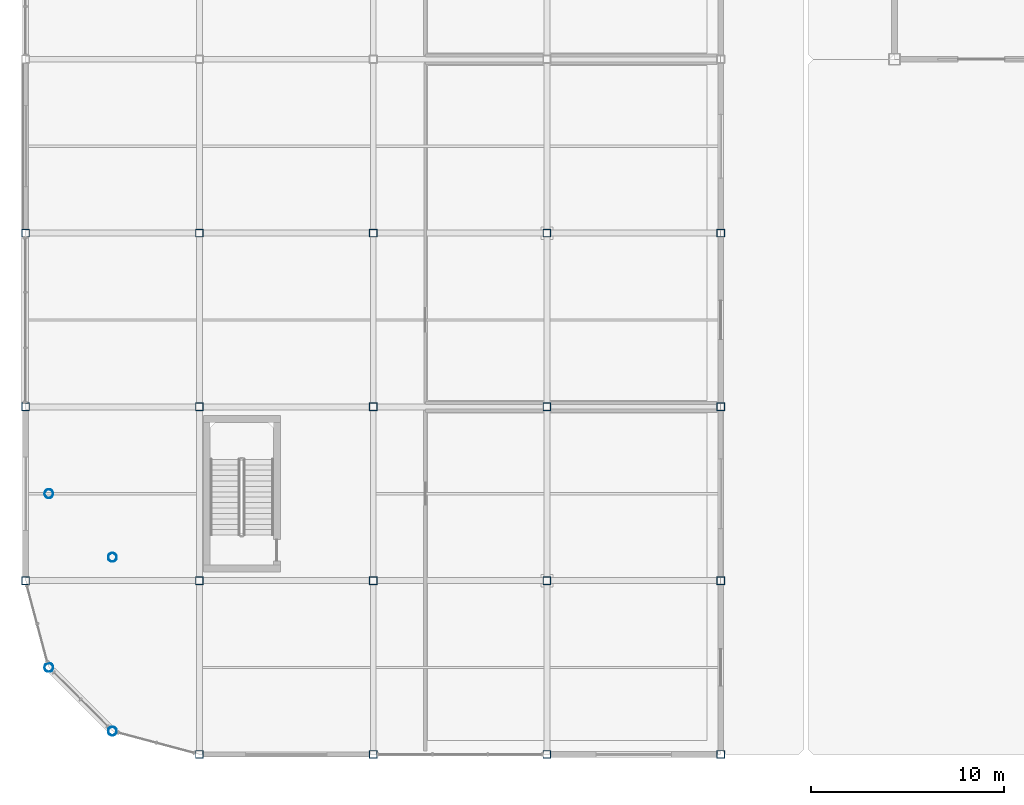
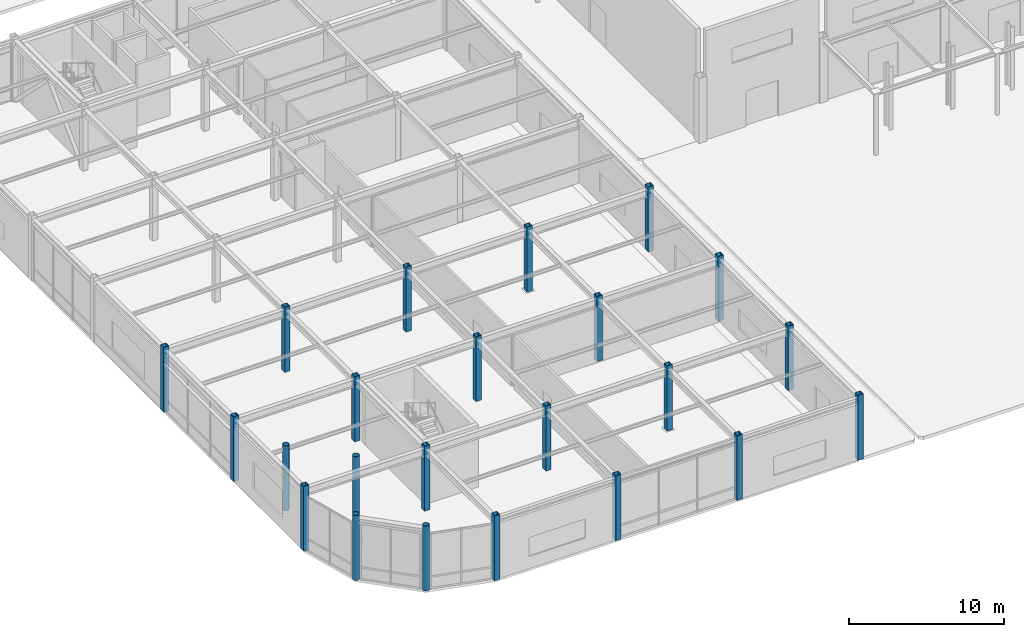
# One storey, part 1 of 123: 23 columns.
"""IFC4 building model written with IfcOpenShell, lengths in metres."""

import ifcopenshell
import ifcopenshell.guid

model = None  # the IFC model being written
_history = None  # IfcOwnerHistory: only IFC2X3 demands one
_inside = {}  # id of a spatial element -> (the spatial element, [elements in it])
_under = {}  # id of a project, library or spatial element -> (it, [spatial elements below it])
_declared = {}  # id of a project -> (the project, [libraries it declares])
_typed = {}  # id of a type object -> (the type object, [elements of that type])
_made_of = {}  # id of a material, layer set ... -> (it, [elements and type objects made of it])


def new_model(schema):
    """Start an empty IFC model of exactly this schema.

    Asked for "IFC4X3", IfcOpenShell would pick the latest addendum, in which some entities
    have other attributes; the version numbers below select the first issue.
    IFC2X3 requires an IfcOwnerHistory on every rooted entity: one is made here for all.
    """
    global model, _history
    if schema == "IFC4X3":
        model = ifcopenshell.file(schema_version=(4, 3, 0, 0))
    else:
        model = ifcopenshell.file(schema=schema)
    _inside.clear()
    _under.clear()
    _declared.clear()
    _typed.clear()
    _made_of.clear()
    _history = None
    if model.schema == "IFC2X3":
        org = make("IfcOrganization", Name="unknown")
        user = make(
            "IfcPersonAndOrganization",
            ThePerson=make("IfcPerson", FamilyName="unknown"),
            TheOrganization=org,
        )
        app = make(
            "IfcApplication",
            ApplicationDeveloper=org,
            Version="unknown",
            ApplicationFullName="unknown",
            ApplicationIdentifier="unknown",
        )
        _history = make(
            "IfcOwnerHistory",
            OwningUser=user,
            OwningApplication=app,
            ChangeAction="ADDED",
            CreationDate=0,
        )
    return model


def make(cls, **values):
    """One entity of the class cls with the attributes given. An attribute that is None is left unset."""
    return model.create_entity(
        cls, **{name: value for name, value in values.items() if value is not None}
    )


def rooted(cls, **values):
    """An entity with a GlobalId (a new one), such as an element, a storey or a relation."""
    return make(cls, GlobalId=ifcopenshell.guid.new(), OwnerHistory=_history, **values)


def si_unit(unit_type, name, prefix=None):
    """IfcSIUnit, for example si_unit("LENGTHUNIT", "METRE", prefix="MILLI")."""
    return make("IfcSIUnit", UnitType=unit_type, Prefix=prefix, Name=name)


def assignment(units):
    """IfcUnitAssignment: the units of a project."""
    return None if units is None else make("IfcUnitAssignment", Units=units)


def point(xyz):
    """IfcCartesianPoint."""
    return None if xyz is None else make("IfcCartesianPoint", Coordinates=xyz)


def direction(xyz):
    """IfcDirection."""
    return None if xyz is None else make("IfcDirection", DirectionRatios=xyz)


def frame(location, z_axis=None, x_axis=None):
    """IfcAxis2Placement3D, a coordinate frame: its origin and axes. An axis left out is left unset."""
    return make(
        "IfcAxis2Placement3D",
        Location=point(location),
        Axis=direction(z_axis),
        RefDirection=direction(x_axis),
    )


def frame_2d(location, x_axis=None):
    """IfcAxis2Placement2D, a coordinate frame in the plane: its origin and x axis."""
    return make(
        "IfcAxis2Placement2D", Location=point(location), RefDirection=direction(x_axis)
    )


def origin():
    """The frame at (0, 0, 0) with its axes left unset."""
    return frame((0.0, 0.0, 0.0))


def origin_2d():
    """The frame at (0, 0) in the plane with its x axis left unset."""
    return frame_2d((0.0, 0.0))


def place(relative_to, where):
    """IfcLocalPlacement: puts the frame where relative to a parent placement (None: the world)."""
    return make(
        "IfcLocalPlacement", PlacementRelTo=relative_to, RelativePlacement=where
    )


def context(
    kind, dimensions, precision=None, world=None, true_north=None, identifier=None
):
    """IfcGeometricRepresentationContext, for example the 3D "Model" context."""
    return make(
        "IfcGeometricRepresentationContext",
        ContextIdentifier=identifier,
        ContextType=kind,
        CoordinateSpaceDimension=dimensions,
        Precision=precision,
        WorldCoordinateSystem=world,
        TrueNorth=true_north,
    )


def subcontext(parent, identifier, kind, view, scale=None):
    """IfcGeometricRepresentationSubContext, for example "Body" below "Model"."""
    return make(
        "IfcGeometricRepresentationSubContext",
        ContextIdentifier=identifier,
        ContextType=kind,
        ParentContext=parent,
        TargetScale=scale,
        TargetView=view,
    )


def project(units=None, contexts=None):
    """IfcProject with its units and contexts."""
    return rooted(
        "IfcProject",
        Name="project",
        RepresentationContexts=contexts,
        UnitsInContext=assignment(units),
    )


def spatial(cls, under=None, at=None, **own):
    """A site, building, storey or space (cls), placed at a placement, below another one or the project."""
    s = rooted(cls, ObjectPlacement=at, **own)
    if under is not None:
        _under.setdefault(under.id(), (under, []))[1].append(s)
    return s


def profile(cls, at=None, kind="AREA", **sizes):
    """A parametric profile (cls). Its sizes go by their IFC names, for example OverallWidth=200.0."""
    return make(cls, ProfileType=kind, Position=at, **sizes)


def hollow_rectangle(**sizes):
    """IfcRectangleHollowProfileDef."""
    return profile("IfcRectangleHollowProfileDef", **sizes)


def hollow_circle(**sizes):
    """IfcCircleHollowProfileDef."""
    return profile("IfcCircleHollowProfileDef", **sizes)


def extrude(swept, where, along, depth):
    """IfcExtrudedAreaSolid: the profile swept, set in the frame where, extruded along a direction by depth."""
    return make(
        "IfcExtrudedAreaSolid",
        SweptArea=swept,
        Position=where,
        ExtrudedDirection=direction(along),
        Depth=depth,
    )


def shape(context_of_items, identifier, shape_type, items):
    """IfcShapeRepresentation: the items that make up one representation, for example the "Body"."""
    return make(
        "IfcShapeRepresentation",
        ContextOfItems=context_of_items,
        RepresentationIdentifier=identifier,
        RepresentationType=shape_type,
        Items=items,
    )


def material(Name=None, Category=None):
    """IfcMaterial."""
    return make("IfcMaterial", Name=Name, Category=Category)


def material_profile(
    of_material, cross_section, Name=None, Category=None, Priority=None
):
    """IfcMaterialProfile: a cross section and its material."""
    return make(
        "IfcMaterialProfile",
        Name=Name,
        Material=of_material,
        Profile=cross_section,
        Priority=Priority,
        Category=Category,
    )


def profile_set(profiles, Name=None, composite=None):
    """IfcMaterialProfileSet."""
    return make(
        "IfcMaterialProfileSet",
        Name=Name,
        MaterialProfiles=profiles,
        CompositeProfile=composite,
    )


def made_of(thing, what):
    """Note that an element or type object is made of a material, layer set ...; save() writes the relation."""
    if what is not None:
        _made_of.setdefault(what.id(), (what, []))[1].append(thing)
    return thing


def type_object(cls, material=None, **own):
    """A type object (cls), such as IfcWallType, which elements share."""
    return made_of(rooted(cls, **own), material)


def element(
    cls,
    number,
    at=None,
    inside=None,
    cuts=None,
    type_object=None,
    material=None,
    context=None,
    identifier="Body",
    shape_type=None,
    held_by="IfcProductDefinitionShape",
    body=None,
    shapes=None,
    **own,
):
    """One element of the class cls, such as IfcWall. Its Tag is "e" and its number.

    at: its placement. inside: the storey or other place that contains it. cuts: it is an
    opening in that element (IfcRelVoidsElement). A single representation is given by context,
    identifier, shape_type and body (its items); several are given by shapes. held_by: the class
    of the entity that holds the representations. save() writes the other relations.
    """
    e = rooted(cls, Tag="e%d" % number, ObjectPlacement=at, **own)
    if body is not None:
        shapes = [shape(context, identifier, shape_type, body)]
    if shapes is not None:
        e.Representation = make(held_by, Representations=shapes)
    if inside is not None:
        _inside.setdefault(inside.id(), (inside, []))[1].append(e)
    if cuts is not None:
        rooted(
            "IfcRelVoidsElement", RelatingBuildingElement=cuts, RelatedOpeningElement=e
        )
    if type_object is not None:
        _typed.setdefault(type_object.id(), (type_object, []))[1].append(e)
    return made_of(e, material)


def aggregate(whole, parts):
    """IfcRelAggregates: a whole, such as a stair, and the parts it consists of."""
    return rooted("IfcRelAggregates", RelatingObject=whole, RelatedObjects=parts)


def save(model, path):
    """Write the relations noted so far, then the file.

    IfcRelAggregates (storeys below a building ...), IfcRelContainedInSpatialStructure (elements
    in a storey), IfcRelDefinesByType, IfcRelAssociatesMaterial and IfcRelDeclares: one each for
    every whole, place, type object, material and project.
    """
    for whole, parts in _under.values():
        aggregate(whole, parts)
    for where, things in _inside.values():
        rooted(
            "IfcRelContainedInSpatialStructure",
            RelatedElements=things,
            RelatingStructure=where,
        )
    for kind, things in _typed.values():
        rooted("IfcRelDefinesByType", RelatedObjects=things, RelatingType=kind)
    for what, things in _made_of.values():
        rooted("IfcRelAssociatesMaterial", RelatedObjects=things, RelatingMaterial=what)
    for by, libraries in _declared.values():
        rooted("IfcRelDeclares", RelatingContext=by, RelatedDefinitions=libraries)
    model.write(path)


model = new_model("IFC4")

# Units and contexts
model_context = context("Model", 3, precision=1e-05, world=origin(), true_north=direction((0.0, 1.0)))
body_context = subcontext(model_context, "Body", "Model", "MODEL_VIEW")
ifc_project = project(units=[si_unit("LENGTHUNIT", "METRE"), si_unit("AREAUNIT", "SQUARE_METRE"), si_unit("VOLUMEUNIT", "CUBIC_METRE"), si_unit("PLANEANGLEUNIT", "RADIAN"), si_unit("MASSUNIT", "GRAM", prefix="KILO")], contexts=[model_context])

# Site, building, storey
site_placement = place(None, origin())
site = spatial("IfcSite", under=ifc_project, at=site_placement, CompositionType="ELEMENT")
building_placement = place(site_placement, origin())
building = spatial("IfcBuilding", under=site, at=building_placement, Name="Suzunagisa Mobility Hub", CompositionType="ELEMENT")
storey_placement = place(building_placement, origin())
storey = spatial("IfcBuildingStorey", under=building, at=storey_placement, Name="L00", CompositionType="ELEMENT", Elevation=0.0)

# Columns
ifc_material = material(Name="Steel SN490B", Category="steel")
ifc_material_profile_1 = material_profile(ifc_material, hollow_circle(Radius=0.228515625, WallThickness=0.01611328125, at=origin_2d()), Name="CHS-457.2x16.0")
ifc_profile_set_1 = profile_set([ifc_material_profile_1], Name="Steel SN490B")
column_type_1 = type_object("IfcColumnType", Name="Steel Column CL-08 CHS-457.2x16.0", PredefinedType="COLUMN", material=ifc_profile_set_1)
for number, where, z_axis, x_axis, name in (
    (1, (1.205810546875, 4.5, 0.0), (0.0, 0.0, 1.0), (1.0, 0.0, 0.0), "L00 Column 11"),
    (2, (1.205810546875, 13.5, 0.0), (0.0, 0.0, 1.0), (1.0, 0.0, 0.0), "L00 Column 12"),
    (3, (4.5, 1.205810546875, 0.0), (0.0, 0.0, 1.0), (1.0, 0.0, 0.0), "L00 Column 16"),
    (4, (4.5, 10.205810546875, 0.0), (0.0, 0.0, 1.0), (1.0, 0.0, 0.0), "L00 Column 17"),
):
    element("IfcColumn", number, at=place(storey_placement, frame(where, z_axis=z_axis, x_axis=x_axis)), inside=storey, type_object=column_type_1, Name=name, PredefinedType="COLUMN", context=body_context, shape_type="SweptSolid", body=[
        extrude(hollow_circle(Radius=0.228515625, WallThickness=0.01611328125, at=origin_2d()), origin(), (0.0, 0.0, 1.0), 5.10009765625),
    ])
ifc_material_profile_2 = material_profile(ifc_material, hollow_rectangle(XDim=0.39990234375, YDim=0.39990234375, WallThickness=0.01904296875, at=origin_2d()), Name="BCR-400x400x19")
ifc_profile_set_2 = profile_set([ifc_material_profile_2], Name="Steel SN490B")
column_type_2 = type_object("IfcColumnType", Name="Steel Column CL-13 BCR-400x400x19", PredefinedType="COLUMN", material=ifc_profile_set_2)
for number, where, z_axis, x_axis, name in (
    (5, (0.0, 9.0, 0.0), (0.0, 0.0, 1.0), (1.0, 0.0, 0.0), "L00 Column 1"),
    (6, (0.0, 18.0, 0.0), (0.0, 0.0, 1.0), (1.0, 0.0, 0.0), "L00 Column 2"),
    (7, (0.0, 27.0, 0.0), (0.0, 0.0, 1.0), (1.0, 0.0, 0.0), "L00 Column 3"),
    (8, (9.0, 0.0, 0.0), (0.0, 0.0, 1.0), (1.0, 0.0, 0.0), "L00 Column 20"),
    (9, (9.0, 9.0, 0.0), (0.0, 0.0, 1.0), (1.0, 0.0, 0.0), "L00 Column 21"),
    (10, (9.0, 18.0, 0.0), (0.0, 0.0, 1.0), (1.0, 0.0, 0.0), "L00 Column 22"),
    (11, (9.0, 27.0, 0.0), (0.0, 0.0, 1.0), (1.0, 0.0, 0.0), "L00 Column 23"),
    (12, (18.0, 0.0, 0.0), (0.0, 0.0, 1.0), (1.0, 0.0, 0.0), "L00 Column 41"),
    (13, (18.0, 9.0, 0.0), (0.0, 0.0, 1.0), (1.0, 0.0, 0.0), "L00 Column 42"),
    (14, (18.0, 18.0, 0.0), (0.0, 0.0, 1.0), (1.0, 0.0, 0.0), "L00 Column 43"),
    (15, (18.0, 27.0, 0.0), (0.0, 0.0, 1.0), (1.0, 0.0, 0.0), "L00 Column 44"),
    (16, (27.0, 0.0, 0.0), (0.0, 0.0, 1.0), (1.0, 0.0, 0.0), "L00 Column 62"),
    (17, (27.0, 9.0, 0.0), (0.0, 0.0, 1.0), (1.0, 0.0, 0.0), "L00 Column 63"),
    (18, (27.0, 18.0, 0.0), (0.0, 0.0, 1.0), (1.0, 0.0, 0.0), "L00 Column 64"),
    (19, (27.0, 27.0, 0.0), (0.0, 0.0, 1.0), (1.0, 0.0, 0.0), "L00 Column 65"),
    (20, (36.0, 0.0, 0.0), (0.0, 0.0, 1.0), (1.0, 0.0, 0.0), "L00 Column 77"),
    (21, (36.0, 9.0, 0.0), (0.0, 0.0, 1.0), (1.0, 0.0, 0.0), "L00 Column 78"),
    (22, (36.0, 18.0, 0.0), (0.0, 0.0, 1.0), (1.0, 0.0, 0.0), "L00 Column 79"),
    (23, (36.0, 27.0, 0.0), (0.0, 0.0, 1.0), (1.0, 0.0, 0.0), "L00 Column 80"),
):
    element("IfcColumn", number, at=place(storey_placement, frame(where, z_axis=z_axis, x_axis=x_axis)), inside=storey, type_object=column_type_2, Name=name, PredefinedType="COLUMN", context=body_context, shape_type="SweptSolid", body=[
        extrude(hollow_rectangle(XDim=0.39990234375, YDim=0.39990234375, WallThickness=0.01904296875, at=origin_2d()), origin(), (0.0, 0.0, 1.0), 5.10009765625),
    ])

save(model, "model.ifc")
